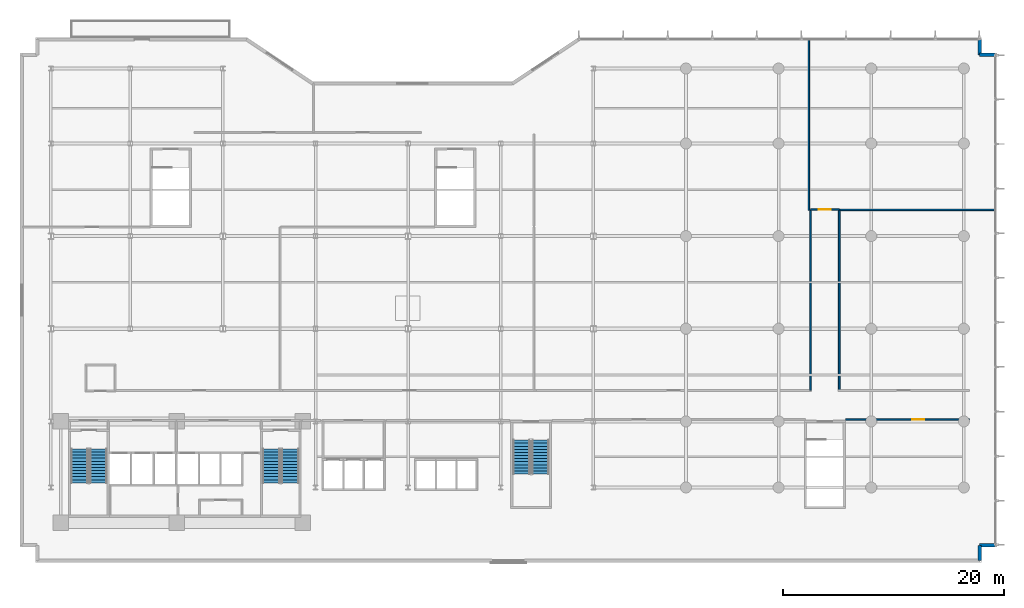
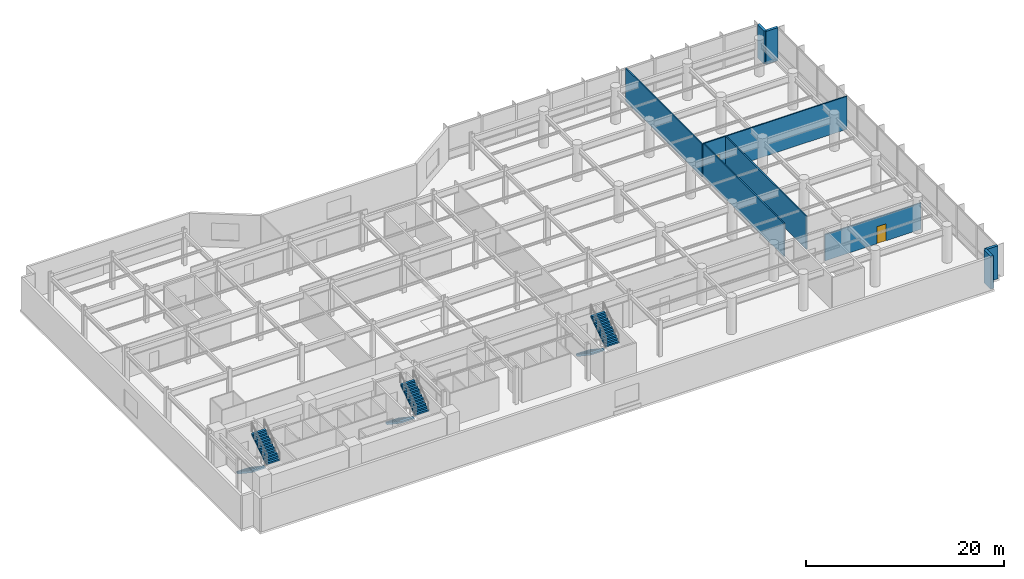
# One storey, part 18 of 23: 10 walls, 6 stair flights, 2 doors, 2 openings, 3 elements without a shape of their own.
"""IFC4 building model written with IfcOpenShell, lengths in metres."""

from ifc_helpers import new_model, si_unit, direction, frame, frame_2d, origin, place, context, subcontext, project, spatial, polyline, rectangle, outline, extrude, material, layer, layer_set, type_object, element, fill, aggregate, save


model = new_model("IFC4")

# Units and contexts
model_context = context("Model", 3, precision=1e-05, world=origin(), true_north=direction((0.0, 1.0)))
body_context = subcontext(model_context, "Body", "Model", "MODEL_VIEW")
ifc_project = project(units=[si_unit("LENGTHUNIT", "METRE"), si_unit("AREAUNIT", "SQUARE_METRE"), si_unit("VOLUMEUNIT", "CUBIC_METRE"), si_unit("PLANEANGLEUNIT", "RADIAN"), si_unit("MASSUNIT", "GRAM", prefix="KILO")], contexts=[model_context])

# Site, building, storey
site_placement = place(None, origin())
site = spatial("IfcSite", under=ifc_project, at=site_placement, CompositionType="ELEMENT")
building_placement = place(site_placement, origin())
building = spatial("IfcBuilding", under=site, at=building_placement, Name="Varnakote Quay Hospital", CompositionType="ELEMENT")
storey_placement = place(building_placement, frame((0.0, 0.0, 18.0)))
storey = spatial("IfcBuildingStorey", under=building, at=storey_placement, Name="L04", CompositionType="ELEMENT", Elevation=18.0)

# Walls
ifc_material_1 = material(Name="Precast concrete N50 (f'c 50 MPa)", Category="concrete")
ifc_layer_1 = layer(ifc_material_1, 0.300048828125)
ifc_layer_set_1 = layer_set([ifc_layer_1], Name="Precast concrete N50 (f'c 50 MPa)")
wall_type_1 = type_object("IfcWallType", Name="WL-EXT-BRICK-300", PredefinedType="STANDARD", material=ifc_layer_set_1)
wall_1_placement = place(storey_placement, frame((85.43994140625, -0.639892578125, 0.0), z_axis=(0.0, 0.0, 1.0), x_axis=(0.0, 1.0, 0.0)))
element("IfcWall", 1, at=wall_1_placement, inside=storey, type_object=wall_type_1, Name="L04 Brick-Faced Precast Exterior Wall", PredefinedType="STANDARD", context=body_context, shape_type="SweptSolid", body=[
    extrude(rectangle(XDim=1.39990234375, YDim=0.300048828125, at=frame_2d((0.699951171875, 0.0))), origin(), (0.0, 0.0, 1.0), 4.080078125),
])
for number, where, z_axis, x_axis, name in (
    (2, (85.43994140625, 0.760009765625, 0.0), (0.0, 0.0, 1.0), (1.0, 0.0, 0.0), "L04 Brick-Faced Precast Exterior Wall"),
    (3, (86.840087890625, 45.239990234375, 0.0), (0.0, 0.0, 1.0), (-1.0, 0.0, 0.0), "L04 Brick-Faced Precast Exterior Wall"),
):
    element("IfcWall", number, at=place(storey_placement, frame(where, z_axis=z_axis, x_axis=x_axis)), inside=storey, type_object=wall_type_1, Name=name, PredefinedType="STANDARD", context=body_context, shape_type="SweptSolid", body=[
        extrude(rectangle(XDim=1.400146484375, YDim=0.300048828125, at=frame_2d((0.7001953125, 0.0))), origin(), (0.0, 0.0, 1.0), 4.080078125),
    ])
wall_2_placement = place(storey_placement, frame((85.43994140625, 45.239990234375, 0.0), z_axis=(0.0, 0.0, 1.0), x_axis=(0.0, 1.0, 0.0)))
element("IfcWall", 4, at=wall_2_placement, inside=storey, type_object=wall_type_1, Name="L04 Brick-Faced Precast Exterior Wall", PredefinedType="STANDARD", context=body_context, shape_type="SweptSolid", body=[
    extrude(rectangle(XDim=1.39990234375, YDim=0.300048828125, at=frame_2d((0.699951171875, 0.0))), origin(), (0.0, 0.0, 1.0), 4.080078125),
])
ifc_material_2 = material(Name="Smoke-proof clinical partition", Category="gypsum")
ifc_layer_2 = layer(ifc_material_2, 0.135009765625)
ifc_layer_set_2 = layer_set([ifc_layer_2], Name="Smoke-proof clinical partition")
wall_type_2 = type_object("IfcWallType", Name="WL-SMOKE-135", PredefinedType="PARTITIONING", material=ifc_layer_set_2)
wall_3_placement = place(storey_placement, frame((69.949951171875, 31.1328125, 0.0), z_axis=(0.0, 0.0, 1.0), x_axis=(0.0, 1.0, 0.0)))
element("IfcWall", 5, at=wall_3_placement, inside=storey, type_object=wall_type_2, Name="L04 Clinical Interior Partition", PredefinedType="PARTITIONING", context=body_context, shape_type="SweptSolid", body=[
    extrude(rectangle(XDim=15.507080078125, YDim=0.135009765625, at=frame_2d((7.75341796875, 0.0))), origin(), (0.0, 0.0, 1.0), 4.080078125),
])
wall_4_placement = place(storey_placement, frame((86.840087890625, 31.179931640625, 0.0), z_axis=(0.0, 0.0, 1.0), x_axis=(-1.0, 0.0, 0.0)))
element("IfcWall", 6, at=wall_4_placement, inside=storey, type_object=wall_type_2, Name="L04 Clinical Interior Partition", PredefinedType="PARTITIONING", context=body_context, shape_type="SweptSolid", body=[
    extrude(rectangle(XDim=14.0751953125, YDim=0.135009765625, at=frame_2d((7.03759765625, 0.0))), origin(), (0.0, 0.0, 1.0), 4.080078125),
])

# Wall, opening, door
ifc_material_3 = material(Name="Fire-rated clinical gypsum partition", Category="gypsum")
ifc_layer_3 = layer(ifc_material_3, 0.14990234375)
ifc_layer_set_3 = layer_set([ifc_layer_3], Name="Fire-rated clinical gypsum partition")
wall_type_3 = type_object("IfcWallType", Name="WL-WARD-150", PredefinedType="PARTITIONING", material=ifc_layer_set_3)
wall_5_placement = place(storey_placement, frame((73.271484375, 12.159912109375, 0.0), z_axis=(0.0, 0.0, 1.0), x_axis=(1.0, 0.0, 0.0)))
wall_5 = element("IfcWall", 7, at=wall_5_placement, inside=storey, type_object=wall_type_3, Name="L04 Clinical Interior Partition", PredefinedType="PARTITIONING", context=body_context, shape_type="SweptSolid", body=[
    extrude(rectangle(XDim=11.228515625, YDim=0.14990234375, at=frame_2d((5.6142578125, 0.0))), origin(), (0.0, 0.0, 1.0), 3.2548828125),
])
opening_1_placement = place(wall_5_placement, frame((6.037109375, 0.0, 0.0)))
opening_1 = element("IfcOpeningElement", 8, at=opening_1_placement, cuts=wall_5, Name="Opening D-L04-ECORU", PredefinedType="OPENING", context=body_context, shape_type="SweptSolid", body=[
    extrude(rectangle(XDim=1.10009765625, YDim=2.10009765625, at=frame_2d((0.550048828125, 1.050048828125))), frame((0.0, 0.0849609375, 0.0), z_axis=(0.0, -1.0, 0.0), x_axis=(1.0, 0.0, 0.0)), (0.0, 0.0, 1.0), 0.169921875),
])
ifc_material_4 = material(Name="Acoustic timber clinical consult door", Category="wood")
door_type = type_object("IfcDoorType", Name="DR-CLIN-FD30S-1100x2100", OperationType="NOTDEFINED", PredefinedType="DOOR", material=ifc_material_4)
door_1_placement = place(opening_1_placement, origin())
door_1 = element("IfcDoor", 9, at=door_1_placement, inside=storey, type_object=door_type, Name="L04 Coronary High-Dependency Treatment Unit Door", OperationType="SINGLE_SWING_RIGHT", OverallHeight=2.10009765625, OverallWidth=1.10009765625, PredefinedType="DOOR", context=body_context, shape_type="SweptSolid", body=[
    extrude(rectangle(XDim=1.10009765625, YDim=2.10009765625, at=frame_2d((0.550048828125, 1.050048828125))), frame((0.0, 0.02490234375, 0.0), z_axis=(0.0, -1.0, 0.0), x_axis=(1.0, 0.0, 0.0)), (0.0, 0.0, 1.0), 0.050048828125),
])
fill(opening_1, door_1)

# Walls
for number, where, z_axis, x_axis, name in (
    (10, (70.10009765625, 31.199951171875, 0.0), (0.0, 0.0, 1.0), (0.0, -1.0, 0.0), "L04 Clinical Interior Partition"),
    (11, (72.699951171875, 14.820068359375, 0.0), (0.0, 0.0, 1.0), (0.0, 1.0, 0.0), "L04 Clinical Interior Partition"),
):
    element("IfcWall", number, at=place(storey_placement, frame(where, z_axis=z_axis, x_axis=x_axis)), inside=storey, type_object=wall_type_3, Name=name, PredefinedType="PARTITIONING", context=body_context, shape_type="SweptSolid", body=[
        extrude(rectangle(XDim=16.3798828125, YDim=0.14990234375, at=frame_2d((8.18994140625, 0.0))), origin(), (0.0, 0.0, 1.0), 4.080078125),
    ])

# Wall, opening, door
wall_6_placement = place(storey_placement, frame((72.699951171875, 31.199951171875, 0.0), z_axis=(0.0, 0.0, 1.0), x_axis=(-1.0, 0.0, 0.0)))
wall_6 = element("IfcWall", 12, at=wall_6_placement, inside=storey, type_object=wall_type_3, Name="L04 Clinical Interior Partition", PredefinedType="PARTITIONING", context=body_context, shape_type="SweptSolid", body=[
    extrude(rectangle(XDim=2.599853515625, YDim=0.14990234375, at=frame_2d((1.2998046875, 0.0))), origin(), (0.0, 0.0, 1.0), 4.080078125),
])
opening_2_placement = place(wall_6_placement, frame((0.75, 0.0, 0.0)))
opening_2 = element("IfcOpeningElement", 13, at=opening_2_placement, cuts=wall_6, Name="Opening D-L04-ESIM", PredefinedType="OPENING", context=body_context, shape_type="SweptSolid", body=[
    extrude(rectangle(XDim=1.10009765625, YDim=2.10009765625, at=frame_2d((0.550048828125, 1.050048828125))), frame((0.0, 0.0849609375, 0.0), z_axis=(0.0, -1.0, 0.0), x_axis=(1.0, 0.0, 0.0)), (0.0, 0.0, 1.0), 0.169921875),
])
door_2_placement = place(opening_2_placement, origin())
door_2 = element("IfcDoor", 14, at=door_2_placement, inside=storey, type_object=door_type, Name="L04 Clinical Simulation Teaching Laboratory Door", OperationType="SINGLE_SWING_LEFT", OverallHeight=2.10009765625, OverallWidth=1.10009765625, PredefinedType="DOOR", context=body_context, shape_type="SweptSolid", body=[
    extrude(rectangle(XDim=1.10009765625, YDim=2.10009765625, at=frame_2d((0.550048828125, 1.050048828125))), frame((0.0, 0.02490234375, 0.0), z_axis=(0.0, -1.0, 0.0), x_axis=(1.0, 0.0, 0.0)), (0.0, 0.0, 1.0), 0.050048828125),
])
fill(opening_2, door_2)

# Stair, stair flights
ifc_material_5 = material(Name="Concrete N40 (f'c 40 MPa)", Category="concrete")
stair_type = type_object("IfcStairType", Name="STR-CORE-1580", PredefinedType="HALF_TURN_STAIR", material=ifc_material_5)
stair_1_placement = place(storey_placement, origin())
stair_1 = element("IfcStair", 15, at=stair_1_placement, inside=storey, type_object=stair_type, Name="L04 Fire-Isolated Exit Stair ST-01", PredefinedType="HALF_TURN_STAIR")
ifc_material_6 = material(Name="Concrete N40 (f'c 40 MPa)", Category="concrete")
ifc_layer_4 = layer(ifc_material_6, 0.159912109375)
ifc_layer_set_4 = layer_set([ifc_layer_4], Name="Concrete N40 (f'c 40 MPa)")
stair_flight_type = type_object("IfcStairFlightType", Name="FLT-CORE-1580", PredefinedType="STRAIGHT", material=ifc_layer_set_4)
stair_flight_1_placement = place(storey_placement, frame((3.7900390625, 9.5, 0.0), z_axis=(0.0, 0.0, 1.0), x_axis=(0.0, -1.0, 0.0)))
stair_flight_1 = element("IfcStairFlight", 16, at=stair_flight_1_placement, type_object=stair_flight_type, Name="ST-01 flight 1", NumberOfRisers=12, NumberOfTreads=11, PredefinedType="STRAIGHT", RiserHeight=0.1875, TreadLength=0.28, context=body_context, shape_type="SweptSolid", body=[
    extrude(outline(polyline([(0.0, 0.0), (0.0, 0.1875), (0.280029296875, 0.1875), (0.280029296875, 0.375), (0.56005859375, 0.375), (0.56005859375, 0.5625), (0.840087890625, 0.5625), (0.840087890625, 0.75), (1.1201171875, 0.75), (1.1201171875, 0.9375), (1.39990234375, 0.9375), (1.39990234375, 1.125), (1.679931640625, 1.125), (1.679931640625, 1.3125), (1.9599609375, 1.3125), (1.9599609375, 1.5), (2.239990234375, 1.5), (2.239990234375, 1.6875), (2.52001953125, 1.6875), (2.52001953125, 1.875), (2.800048828125, 1.875), (2.800048828125, 2.0625), (3.080078125, 2.0625), (3.080078125, 2.25), (3.080078125, 1.8701171875), (0.287353515625, 0.0), (0.0, 0.0)])), frame((0.0, 0.7900390625, 0.0), z_axis=(0.0, -1.0, 0.0), x_axis=(1.0, 0.0, 0.0)), (0.0, 0.0, 1.0), 1.580078125),
])
stair_flight_2_placement = place(storey_placement, frame((5.510009765625, 6.419921875, 2.25), z_axis=(0.0, 0.0, 1.0), x_axis=(0.0, 1.0, 0.0)))
stair_flight_2 = element("IfcStairFlight", 17, at=stair_flight_2_placement, type_object=stair_flight_type, Name="ST-01 flight 2", NumberOfRisers=12, NumberOfTreads=11, PredefinedType="STRAIGHT", RiserHeight=0.1875, TreadLength=0.28, context=body_context, shape_type="SweptSolid", body=[
    extrude(outline(polyline([(0.0, 0.0), (0.0, 0.1875), (0.280029296875, 0.1875), (0.280029296875, 0.375), (0.56005859375, 0.375), (0.56005859375, 0.5625), (0.840087890625, 0.5625), (0.840087890625, 0.75), (1.1201171875, 0.75), (1.1201171875, 0.9375), (1.39990234375, 0.9375), (1.39990234375, 1.125), (1.679931640625, 1.125), (1.679931640625, 1.3125), (1.9599609375, 1.3125), (1.9599609375, 1.5), (2.239990234375, 1.5), (2.239990234375, 1.6875), (2.52001953125, 1.6875), (2.52001953125, 1.875), (2.800048828125, 1.875), (2.800048828125, 2.0625), (3.080078125, 2.0625), (3.080078125, 2.25), (3.080078125, 1.8701171875), (0.287353515625, 0.0), (0.0, 0.0)])), frame((0.0, 0.7900390625, 0.0), z_axis=(0.0, -1.0, 0.0), x_axis=(1.0, 0.0, 0.0)), (0.0, 0.0, 1.0), 1.580078125),
])
aggregate(stair_1, [stair_flight_1, stair_flight_2])

stair_2_placement = place(storey_placement, origin())
stair_2 = element("IfcStair", 18, at=stair_2_placement, inside=storey, type_object=stair_type, Name="L04 Fire-Isolated Exit Stair ST-02", PredefinedType="HALF_TURN_STAIR")
stair_flight_3_placement = place(storey_placement, frame((21.18994140625, 9.5, 0.0), z_axis=(0.0, 0.0, 1.0), x_axis=(0.0, -1.0, 0.0)))
stair_flight_3 = element("IfcStairFlight", 19, at=stair_flight_3_placement, type_object=stair_flight_type, Name="ST-02 flight 1", NumberOfRisers=12, NumberOfTreads=11, PredefinedType="STRAIGHT", RiserHeight=0.1875, TreadLength=0.28, context=body_context, shape_type="SweptSolid", body=[
    extrude(outline(polyline([(0.0, 0.0), (0.0, 0.1875), (0.280029296875, 0.1875), (0.280029296875, 0.375), (0.56005859375, 0.375), (0.56005859375, 0.5625), (0.840087890625, 0.5625), (0.840087890625, 0.75), (1.1201171875, 0.75), (1.1201171875, 0.9375), (1.39990234375, 0.9375), (1.39990234375, 1.125), (1.679931640625, 1.125), (1.679931640625, 1.3125), (1.9599609375, 1.3125), (1.9599609375, 1.5), (2.239990234375, 1.5), (2.239990234375, 1.6875), (2.52001953125, 1.6875), (2.52001953125, 1.875), (2.800048828125, 1.875), (2.800048828125, 2.0625), (3.080078125, 2.0625), (3.080078125, 2.25), (3.080078125, 1.8701171875), (0.287353515625, 0.0), (0.0, 0.0)])), frame((0.0, 0.7900390625, 0.0), z_axis=(0.0, -1.0, 0.0), x_axis=(1.0, 0.0, 0.0)), (0.0, 0.0, 1.0), 1.580078125),
])
stair_flight_4_placement = place(storey_placement, frame((22.909912109375, 6.419921875, 2.25), z_axis=(0.0, 0.0, 1.0), x_axis=(0.0, 1.0, 0.0)))
stair_flight_4 = element("IfcStairFlight", 20, at=stair_flight_4_placement, type_object=stair_flight_type, Name="ST-02 flight 2", NumberOfRisers=12, NumberOfTreads=11, PredefinedType="STRAIGHT", RiserHeight=0.1875, TreadLength=0.28, context=body_context, shape_type="SweptSolid", body=[
    extrude(outline(polyline([(0.0, 0.0), (0.0, 0.1875), (0.280029296875, 0.1875), (0.280029296875, 0.375), (0.56005859375, 0.375), (0.56005859375, 0.5625), (0.840087890625, 0.5625), (0.840087890625, 0.75), (1.1201171875, 0.75), (1.1201171875, 0.9375), (1.39990234375, 0.9375), (1.39990234375, 1.125), (1.679931640625, 1.125), (1.679931640625, 1.3125), (1.9599609375, 1.3125), (1.9599609375, 1.5), (2.239990234375, 1.5), (2.239990234375, 1.6875), (2.52001953125, 1.6875), (2.52001953125, 1.875), (2.800048828125, 1.875), (2.800048828125, 2.0625), (3.080078125, 2.0625), (3.080078125, 2.25), (3.080078125, 1.8701171875), (0.287353515625, 0.0), (0.0, 0.0)])), frame((0.0, 0.7900390625, 0.0), z_axis=(0.0, -1.0, 0.0), x_axis=(1.0, 0.0, 0.0)), (0.0, 0.0, 1.0), 1.580078125),
])
aggregate(stair_2, [stair_flight_3, stair_flight_4])

stair_3_placement = place(storey_placement, origin())
stair_3 = element("IfcStair", 21, at=stair_3_placement, inside=storey, type_object=stair_type, Name="L04 Fire-Isolated Exit Stair ST-03", PredefinedType="HALF_TURN_STAIR")
stair_flight_5_placement = place(storey_placement, frame((43.889892578125, 10.300048828125, 0.0), z_axis=(0.0, 0.0, 1.0), x_axis=(0.0, -1.0, 0.0)))
stair_flight_5 = element("IfcStairFlight", 22, at=stair_flight_5_placement, type_object=stair_flight_type, Name="ST-03 flight 1", NumberOfRisers=12, NumberOfTreads=11, PredefinedType="STRAIGHT", RiserHeight=0.1875, TreadLength=0.28, context=body_context, shape_type="SweptSolid", body=[
    extrude(outline(polyline([(0.0, 0.0), (0.0, 0.1875), (0.280029296875, 0.1875), (0.280029296875, 0.375), (0.56005859375, 0.375), (0.56005859375, 0.5625), (0.840087890625, 0.5625), (0.840087890625, 0.75), (1.1201171875, 0.75), (1.1201171875, 0.9375), (1.39990234375, 0.9375), (1.39990234375, 1.125), (1.679931640625, 1.125), (1.679931640625, 1.3125), (1.9599609375, 1.3125), (1.9599609375, 1.5), (2.239990234375, 1.5), (2.239990234375, 1.6875), (2.52001953125, 1.6875), (2.52001953125, 1.875), (2.800048828125, 1.875), (2.800048828125, 2.0625), (3.080078125, 2.0625), (3.080078125, 2.25), (3.080078125, 1.8701171875), (0.287353515625, 0.0), (0.0, 0.0)])), frame((0.0, 0.7900390625, 0.0), z_axis=(0.0, -1.0, 0.0), x_axis=(1.0, 0.0, 0.0)), (0.0, 0.0, 1.0), 1.580078125),
])
stair_flight_6_placement = place(storey_placement, frame((45.610107421875, 7.219970703125, 2.25), z_axis=(0.0, 0.0, 1.0), x_axis=(0.0, 1.0, 0.0)))
stair_flight_6 = element("IfcStairFlight", 23, at=stair_flight_6_placement, type_object=stair_flight_type, Name="ST-03 flight 2", NumberOfRisers=12, NumberOfTreads=11, PredefinedType="STRAIGHT", RiserHeight=0.1875, TreadLength=0.28, context=body_context, shape_type="SweptSolid", body=[
    extrude(outline(polyline([(0.0, 0.0), (0.0, 0.1875), (0.280029296875, 0.1875), (0.280029296875, 0.375), (0.56005859375, 0.375), (0.56005859375, 0.5625), (0.840087890625, 0.5625), (0.840087890625, 0.75), (1.1201171875, 0.75), (1.1201171875, 0.9375), (1.39990234375, 0.9375), (1.39990234375, 1.125), (1.679931640625, 1.125), (1.679931640625, 1.3125), (1.9599609375, 1.3125), (1.9599609375, 1.5), (2.239990234375, 1.5), (2.239990234375, 1.6875), (2.52001953125, 1.6875), (2.52001953125, 1.875), (2.800048828125, 1.875), (2.800048828125, 2.0625), (3.080078125, 2.0625), (3.080078125, 2.25), (3.080078125, 1.8701171875), (0.287353515625, 0.0), (0.0, 0.0)])), frame((0.0, 0.7900390625, 0.0), z_axis=(0.0, -1.0, 0.0), x_axis=(1.0, 0.0, 0.0)), (0.0, 0.0, 1.0), 1.580078125),
])
aggregate(stair_3, [stair_flight_5, stair_flight_6])

save(model, "model.ifc")
